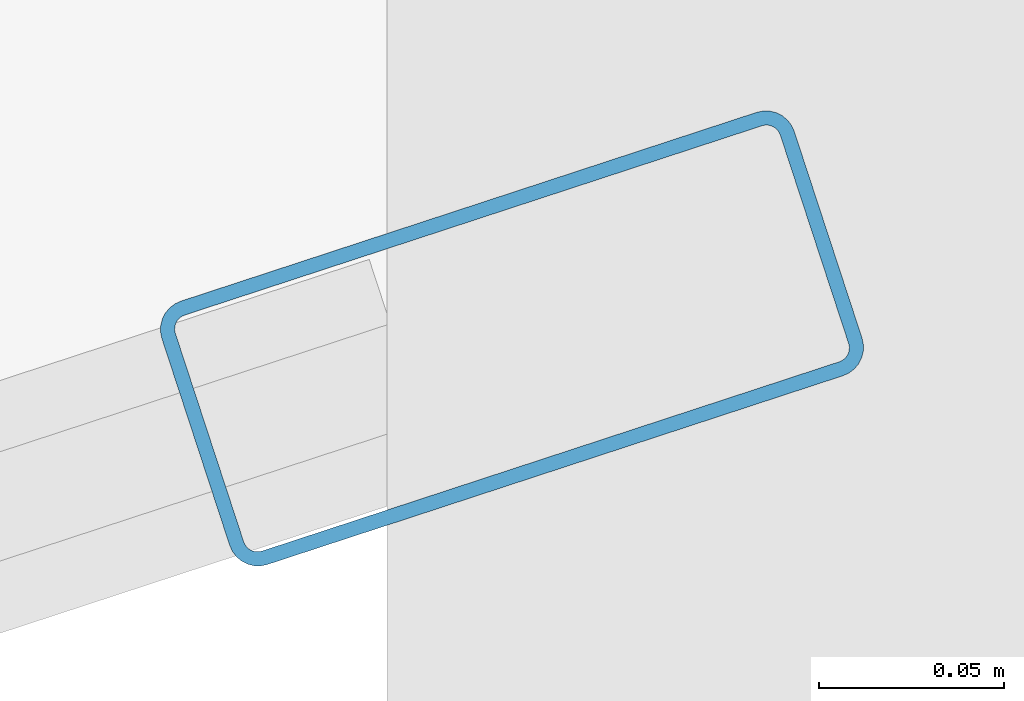
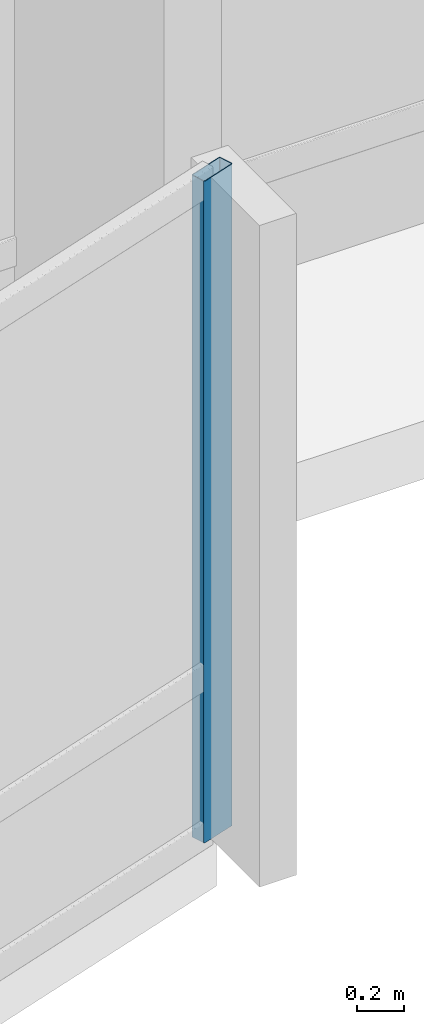
# One storey, part 10 of 34: 1 member, 1 element without a shape of its own.
"""IFC4 building model written with IfcOpenShell, lengths in metres."""

import ifcopenshell
import ifcopenshell.guid

model = None  # the IFC model being written
_history = None  # IfcOwnerHistory: only IFC2X3 demands one
_inside = {}  # id of a spatial element -> (the spatial element, [elements in it])
_under = {}  # id of a project, library or spatial element -> (it, [spatial elements below it])
_declared = {}  # id of a project -> (the project, [libraries it declares])
_typed = {}  # id of a type object -> (the type object, [elements of that type])
_made_of = {}  # id of a material, layer set ... -> (it, [elements and type objects made of it])


def new_model(schema):
    """Start an empty IFC model of exactly this schema.

    Asked for "IFC4X3", IfcOpenShell would pick the latest addendum, in which some entities
    have other attributes; the version numbers below select the first issue.
    IFC2X3 requires an IfcOwnerHistory on every rooted entity: one is made here for all.
    """
    global model, _history
    if schema == "IFC4X3":
        model = ifcopenshell.file(schema_version=(4, 3, 0, 0))
    else:
        model = ifcopenshell.file(schema=schema)
    _inside.clear()
    _under.clear()
    _declared.clear()
    _typed.clear()
    _made_of.clear()
    _history = None
    if model.schema == "IFC2X3":
        org = make("IfcOrganization", Name="unknown")
        user = make(
            "IfcPersonAndOrganization",
            ThePerson=make("IfcPerson", FamilyName="unknown"),
            TheOrganization=org,
        )
        app = make(
            "IfcApplication",
            ApplicationDeveloper=org,
            Version="unknown",
            ApplicationFullName="unknown",
            ApplicationIdentifier="unknown",
        )
        _history = make(
            "IfcOwnerHistory",
            OwningUser=user,
            OwningApplication=app,
            ChangeAction="ADDED",
            CreationDate=0,
        )
    return model


def make(cls, **values):
    """One entity of the class cls with the attributes given. An attribute that is None is left unset."""
    return model.create_entity(
        cls, **{name: value for name, value in values.items() if value is not None}
    )


def rooted(cls, **values):
    """An entity with a GlobalId (a new one), such as an element, a storey or a relation."""
    return make(cls, GlobalId=ifcopenshell.guid.new(), OwnerHistory=_history, **values)


def si_unit(unit_type, name, prefix=None):
    """IfcSIUnit, for example si_unit("LENGTHUNIT", "METRE", prefix="MILLI")."""
    return make("IfcSIUnit", UnitType=unit_type, Prefix=prefix, Name=name)


def assignment(units):
    """IfcUnitAssignment: the units of a project."""
    return None if units is None else make("IfcUnitAssignment", Units=units)


def point(xyz):
    """IfcCartesianPoint."""
    return None if xyz is None else make("IfcCartesianPoint", Coordinates=xyz)


def direction(xyz):
    """IfcDirection."""
    return None if xyz is None else make("IfcDirection", DirectionRatios=xyz)


def frame(location, z_axis=None, x_axis=None):
    """IfcAxis2Placement3D, a coordinate frame: its origin and axes. An axis left out is left unset."""
    return make(
        "IfcAxis2Placement3D",
        Location=point(location),
        Axis=direction(z_axis),
        RefDirection=direction(x_axis),
    )


def frame_2d(location, x_axis=None):
    """IfcAxis2Placement2D, a coordinate frame in the plane: its origin and x axis."""
    return make(
        "IfcAxis2Placement2D", Location=point(location), RefDirection=direction(x_axis)
    )


def origin():
    """The frame at (0, 0, 0) with its axes left unset."""
    return frame((0.0, 0.0, 0.0))


def origin_2d():
    """The frame at (0, 0) in the plane with its x axis left unset."""
    return frame_2d((0.0, 0.0))


def place(relative_to, where):
    """IfcLocalPlacement: puts the frame where relative to a parent placement (None: the world)."""
    return make(
        "IfcLocalPlacement", PlacementRelTo=relative_to, RelativePlacement=where
    )


def context(
    kind, dimensions, precision=None, world=None, true_north=None, identifier=None
):
    """IfcGeometricRepresentationContext, for example the 3D "Model" context."""
    return make(
        "IfcGeometricRepresentationContext",
        ContextIdentifier=identifier,
        ContextType=kind,
        CoordinateSpaceDimension=dimensions,
        Precision=precision,
        WorldCoordinateSystem=world,
        TrueNorth=true_north,
    )


def subcontext(parent, identifier, kind, view, scale=None):
    """IfcGeometricRepresentationSubContext, for example "Body" below "Model"."""
    return make(
        "IfcGeometricRepresentationSubContext",
        ContextIdentifier=identifier,
        ContextType=kind,
        ParentContext=parent,
        TargetScale=scale,
        TargetView=view,
    )


def project(units=None, contexts=None):
    """IfcProject with its units and contexts."""
    return rooted(
        "IfcProject",
        Name="project",
        RepresentationContexts=contexts,
        UnitsInContext=assignment(units),
    )


def spatial(cls, under=None, at=None, **own):
    """A site, building, storey or space (cls), placed at a placement, below another one or the project."""
    s = rooted(cls, ObjectPlacement=at, **own)
    if under is not None:
        _under.setdefault(under.id(), (under, []))[1].append(s)
    return s


def profile(cls, at=None, kind="AREA", **sizes):
    """A parametric profile (cls). Its sizes go by their IFC names, for example OverallWidth=200.0."""
    return make(cls, ProfileType=kind, Position=at, **sizes)


def hollow_rectangle(**sizes):
    """IfcRectangleHollowProfileDef."""
    return profile("IfcRectangleHollowProfileDef", **sizes)


def extrude(swept, where, along, depth):
    """IfcExtrudedAreaSolid: the profile swept, set in the frame where, extruded along a direction by depth."""
    return make(
        "IfcExtrudedAreaSolid",
        SweptArea=swept,
        Position=where,
        ExtrudedDirection=direction(along),
        Depth=depth,
    )


def shape(context_of_items, identifier, shape_type, items):
    """IfcShapeRepresentation: the items that make up one representation, for example the "Body"."""
    return make(
        "IfcShapeRepresentation",
        ContextOfItems=context_of_items,
        RepresentationIdentifier=identifier,
        RepresentationType=shape_type,
        Items=items,
    )


def material(Name=None, Category=None):
    """IfcMaterial."""
    return make("IfcMaterial", Name=Name, Category=Category)


def layer(
    of_material, thickness, ventilated=None, Name=None, Category=None, Priority=None
):
    """IfcMaterialLayer: one layer of a wall or slab, of a material (None: an air gap)."""
    return make(
        "IfcMaterialLayer",
        Material=of_material,
        LayerThickness=thickness,
        IsVentilated=ventilated,
        Name=Name,
        Category=Category,
        Priority=Priority,
    )


def layer_set(layers, Name=None):
    """IfcMaterialLayerSet."""
    return make("IfcMaterialLayerSet", MaterialLayers=layers, LayerSetName=Name)


def material_profile(
    of_material, cross_section, Name=None, Category=None, Priority=None
):
    """IfcMaterialProfile: a cross section and its material."""
    return make(
        "IfcMaterialProfile",
        Name=Name,
        Material=of_material,
        Profile=cross_section,
        Priority=Priority,
        Category=Category,
    )


def profile_set(profiles, Name=None, composite=None):
    """IfcMaterialProfileSet."""
    return make(
        "IfcMaterialProfileSet",
        Name=Name,
        MaterialProfiles=profiles,
        CompositeProfile=composite,
    )


def made_of(thing, what):
    """Note that an element or type object is made of a material, layer set ...; save() writes the relation."""
    if what is not None:
        _made_of.setdefault(what.id(), (what, []))[1].append(thing)
    return thing


def type_object(cls, material=None, **own):
    """A type object (cls), such as IfcWallType, which elements share."""
    return made_of(rooted(cls, **own), material)


def element(
    cls,
    number,
    at=None,
    inside=None,
    cuts=None,
    type_object=None,
    material=None,
    context=None,
    identifier="Body",
    shape_type=None,
    held_by="IfcProductDefinitionShape",
    body=None,
    shapes=None,
    **own,
):
    """One element of the class cls, such as IfcWall. Its Tag is "e" and its number.

    at: its placement. inside: the storey or other place that contains it. cuts: it is an
    opening in that element (IfcRelVoidsElement). A single representation is given by context,
    identifier, shape_type and body (its items); several are given by shapes. held_by: the class
    of the entity that holds the representations. save() writes the other relations.
    """
    e = rooted(cls, Tag="e%d" % number, ObjectPlacement=at, **own)
    if body is not None:
        shapes = [shape(context, identifier, shape_type, body)]
    if shapes is not None:
        e.Representation = make(held_by, Representations=shapes)
    if inside is not None:
        _inside.setdefault(inside.id(), (inside, []))[1].append(e)
    if cuts is not None:
        rooted(
            "IfcRelVoidsElement", RelatingBuildingElement=cuts, RelatedOpeningElement=e
        )
    if type_object is not None:
        _typed.setdefault(type_object.id(), (type_object, []))[1].append(e)
    return made_of(e, material)


def aggregate(whole, parts):
    """IfcRelAggregates: a whole, such as a stair, and the parts it consists of."""
    return rooted("IfcRelAggregates", RelatingObject=whole, RelatedObjects=parts)


def save(model, path):
    """Write the relations noted so far, then the file.

    IfcRelAggregates (storeys below a building ...), IfcRelContainedInSpatialStructure (elements
    in a storey), IfcRelDefinesByType, IfcRelAssociatesMaterial and IfcRelDeclares: one each for
    every whole, place, type object, material and project.
    """
    for whole, parts in _under.values():
        aggregate(whole, parts)
    for where, things in _inside.values():
        rooted(
            "IfcRelContainedInSpatialStructure",
            RelatedElements=things,
            RelatingStructure=where,
        )
    for kind, things in _typed.values():
        rooted("IfcRelDefinesByType", RelatedObjects=things, RelatingType=kind)
    for what, things in _made_of.values():
        rooted("IfcRelAssociatesMaterial", RelatedObjects=things, RelatingMaterial=what)
    for by, libraries in _declared.values():
        rooted("IfcRelDeclares", RelatingContext=by, RelatedDefinitions=libraries)
    model.write(path)


model = new_model("IFC4")

# Units and contexts
model_context = context("Model", 3, precision=1e-05, world=origin(), true_north=direction((0.0, 1.0)))
body_context = subcontext(model_context, "Body", "Model", "MODEL_VIEW")
ifc_project = project(units=[si_unit("LENGTHUNIT", "METRE"), si_unit("AREAUNIT", "SQUARE_METRE"), si_unit("VOLUMEUNIT", "CUBIC_METRE"), si_unit("PLANEANGLEUNIT", "RADIAN"), si_unit("MASSUNIT", "GRAM", prefix="KILO")], contexts=[model_context])

# Site, building, storey
site_placement = place(None, origin())
site = spatial("IfcSite", under=ifc_project, at=site_placement, CompositionType="ELEMENT")
building_placement = place(site_placement, origin())
building = spatial("IfcBuilding", under=site, at=building_placement, Name="Solvaryn Broadcast Tower", CompositionType="ELEMENT")
storey_placement = place(building_placement, frame((0.0, 0.0, 73.0)))
storey = spatial("IfcBuildingStorey", under=building, at=storey_placement, Name="L17", CompositionType="ELEMENT", Elevation=73.0)

# Curtain wall, member
ifc_material_1 = material(Name="Aluminium and Terracotta Unitised Curtain Wall", Category="masonry")
ifc_layer = layer(ifc_material_1, 0.199951171875)
ifc_layer_set = layer_set([ifc_layer], Name="CW-SYS2-LOWMID")
curtain_wall_type = type_object("IfcCurtainWallType", Name="CW-SYS2-LOWMID", PredefinedType="NOTDEFINED", material=ifc_layer_set)
curtain_wall_placement = place(storey_placement, origin())
curtain_wall = element("IfcCurtainWall", 1, at=curtain_wall_placement, inside=storey, type_object=curtain_wall_type, Name="L17 Curtain Wall DR4", PredefinedType="NOTDEFINED")
ifc_material_2 = material(Name="Anodised Aluminium 6063-T6", Category="aluminium")
ifc_material_profile = material_profile(ifc_material_2, hollow_rectangle(XDim=0.074951171875, YDim=0.179931640625, WallThickness=0.00390625, InnerFilletRadius=0.00390625, OuterFilletRadius=0.008056640625, at=origin_2d()))
ifc_profile_set = profile_set([ifc_material_profile], Name="Anodised Aluminium 6063-T6")
member_type = type_object("IfcMemberType", Name="CW-MUL-180", PredefinedType="MULLION", material=ifc_profile_set)
member_placement = place(storey_placement, frame((45.987548828125, 5.90673828125, 0.0), z_axis=(0.0, 0.0, 1.0), x_axis=(-0.311594044587, 0.950215318429, 0.0)))
member = element("IfcMember", 2, at=member_placement, type_object=member_type, Name="CWS2 mullion 2", PredefinedType="MULLION", context=body_context, shape_type="SweptSolid", body=[
    extrude(hollow_rectangle(XDim=0.074951171875, YDim=0.179931640625, WallThickness=0.00390625, InnerFilletRadius=0.00390625, OuterFilletRadius=0.008056640625, at=origin_2d()), origin(), (0.0, 0.0, 1.0), 3.419921875),
])
aggregate(curtain_wall, [member])

save(model, "model.ifc")
